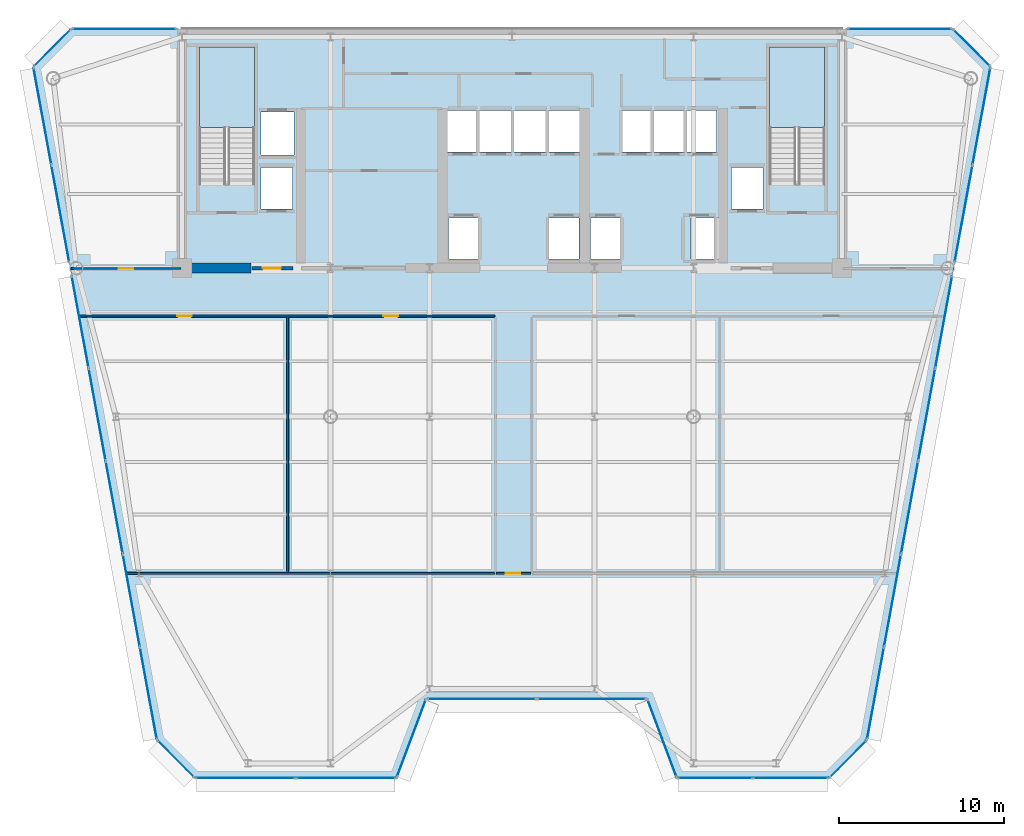
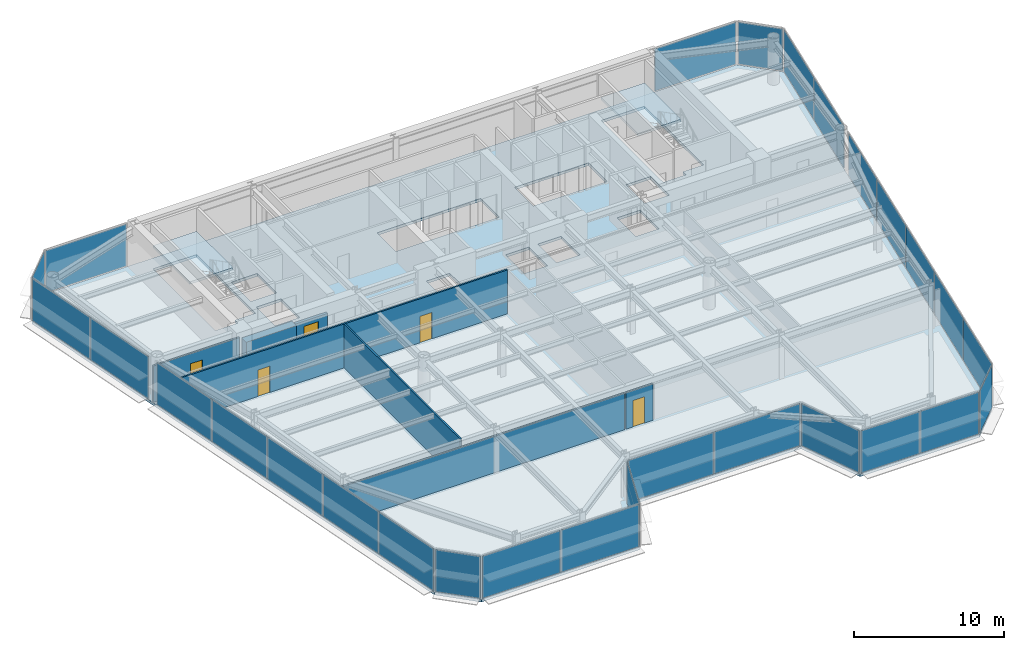
# One storey, part 8 of 15: 28 plates, 7 walls, 5 doors, 3 slabs, 5 openings, 17 elements without a shape of their own.
"""IFC4 building model written with IfcOpenShell, lengths in metres."""

from ifc_helpers import new_model, si_unit, direction, frame, frame_2d, origin, origin_2d, place, context, subcontext, project, spatial, polyline, rectangle, outline, extrude, source, transform, mapped, material, layer, layer_set, type_object, element, fill, aggregate, save


model = new_model("IFC4")

# Units and contexts
model_context = context("Model", 3, precision=1e-05, world=origin(), true_north=direction((0.0, 1.0)))
body_context = subcontext(model_context, "Body", "Model", "MODEL_VIEW")
ifc_project = project(units=[si_unit("LENGTHUNIT", "METRE"), si_unit("AREAUNIT", "SQUARE_METRE"), si_unit("VOLUMEUNIT", "CUBIC_METRE"), si_unit("PLANEANGLEUNIT", "RADIAN"), si_unit("MASSUNIT", "GRAM", prefix="KILO")], contexts=[model_context])

# Site, building, storey
site_placement = place(None, origin())
site = spatial("IfcSite", under=ifc_project, at=site_placement, CompositionType="ELEMENT")
building_placement = place(site_placement, origin())
building = spatial("IfcBuilding", under=site, at=building_placement, Name="Vaeldorn Concourse Tower", CompositionType="ELEMENT")
storey_placement = place(building_placement, frame((0.0, 0.0, 199.39990234375)))
storey = spatial("IfcBuildingStorey", under=building, at=storey_placement, Name="L51", CompositionType="ELEMENT", Elevation=199.39990234375)

# Stair, slab
ifc_material_1 = material(Name="Precast concrete C40/50", Category="concrete")
stair_type = type_object("IfcStairType", Name="STR-DOG-24x158", PredefinedType="HALF_TURN_STAIR", material=ifc_material_1)
stair_1_placement = place(storey_placement, origin())
stair_1 = element("IfcStair", 1, at=stair_1_placement, inside=storey, type_object=stair_type, Name="L51 West Core Exit Stair ST-1", PredefinedType="HALF_TURN_STAIR")
ifc_material_2 = material(Name="Concrete C40/50", Category="concrete")
ifc_layer_1 = layer(ifc_material_2, 0.199951171875)
ifc_layer_set_1 = layer_set([ifc_layer_1], Name="Concrete C40/50")
slab_type_1 = type_object("IfcSlabType", Name="SL-STAIR-LANDING", PredefinedType="LANDING", material=ifc_layer_set_1)
slab_1_placement = place(storey_placement, frame((0.0, 0.0, 1.7001953125)))
slab_1 = element("IfcSlab", 2, at=slab_1_placement, type_object=slab_type_1, Name="ST-1 landing 1", PredefinedType="LANDING", context=body_context, shape_type="SweptSolid", body=[
    extrude(outline(polyline([(18.39990234375, 45.010009765625), (18.39990234375, 49.89990234375), (15.050048828125, 49.89990234375), (15.050048828125, 45.010009765625), (18.39990234375, 45.010009765625)])), origin(), (0.0, 0.0, 1.0), 0.199951171875),
])
aggregate(stair_1, [slab_1])

stair_2_placement = place(storey_placement, origin())
stair_2 = element("IfcStair", 3, at=stair_2_placement, inside=storey, type_object=stair_type, Name="L51 East Core Exit Stair ST-2", PredefinedType="HALF_TURN_STAIR")
slab_2_placement = place(storey_placement, frame((0.0, 0.0, 1.7001953125)))
slab_2 = element("IfcSlab", 4, at=slab_2_placement, type_object=slab_type_1, Name="ST-2 landing 1", PredefinedType="LANDING", context=body_context, shape_type="SweptSolid", body=[
    extrude(outline(polyline([(52.949951171875, 45.010009765625), (52.949951171875, 49.89990234375), (49.60009765625, 49.89990234375), (49.60009765625, 45.010009765625), (52.949951171875, 45.010009765625)])), origin(), (0.0, 0.0, 1.0), 0.199951171875),
])
aggregate(stair_2, [slab_2])

# Slab
ifc_layer_2 = layer(ifc_material_2, 0.219970703125)
ifc_layer_set_2 = layer_set([ifc_layer_2], Name="Concrete C40/50")
slab_type_2 = type_object("IfcSlabType", Name="SL-TYP-220", PredefinedType="FLOOR", material=ifc_layer_set_2)
slab_3_placement = place(storey_placement, frame((0.0, 0.0, -0.219970703125)))
element("IfcSlab", 5, at=slab_3_placement, inside=storey, type_object=slab_type_2, Name="Structural Floor Slab L51", PredefinedType="FLOOR", context=body_context, shape_type="SweptSolid", body=[
    extrude(outline(polyline([(14.791015625, 5.60009765625), (27.0, 5.60009765625), (28.800048828125, 10.39990234375), (42.199951171875, 10.39990234375), (44.0, 5.60009765625), (53.208984375, 5.60009765625), (55.509033203125, 7.89990234375), (63.0, 48.699951171875), (60.699951171875, 51.0), (7.300048828125, 51.0), (5.0, 48.699951171875), (12.490966796875, 7.89990234375), (14.791015625, 5.60009765625)]), holes=[polyline([(18.39990234375, 42.0), (18.39990234375, 49.89990234375), (15.050048828125, 49.89990234375), (15.050048828125, 41.60009765625), (16.800048828125, 41.60009765625), (16.800048828125, 42.0), (18.39990234375, 42.0)]), polyline([(52.949951171875, 42.0), (52.949951171875, 49.89990234375), (49.60009765625, 49.89990234375), (49.60009765625, 41.60009765625), (51.35009765625, 41.60009765625), (51.35009765625, 42.0), (52.949951171875, 42.0)]), polyline([(30.14990234375, 37.050048828125), (31.949951171875, 37.050048828125), (31.949951171875, 39.550048828125), (30.14990234375, 39.550048828125), (30.14990234375, 37.050048828125)]), polyline([(36.25, 37.050048828125), (38.050048828125, 37.050048828125), (38.050048828125, 39.550048828125), (36.25, 39.550048828125), (36.25, 37.050048828125)]), polyline([(30.10009765625, 43.550048828125), (38.10009765625, 43.550048828125), (38.10009765625, 46.050048828125), (30.10009765625, 46.050048828125), (30.10009765625, 43.550048828125)]), polyline([(38.75, 37.050048828125), (40.550048828125, 37.050048828125), (40.550048828125, 39.550048828125), (38.75, 39.550048828125), (38.75, 37.050048828125)]), polyline([(44.85009765625, 37.050048828125), (46.64990234375, 37.050048828125), (46.64990234375, 39.550048828125), (44.85009765625, 39.550048828125), (44.85009765625, 37.050048828125)]), polyline([(40.699951171875, 43.550048828125), (46.39990234375, 43.550048828125), (46.39990234375, 46.050048828125), (40.699951171875, 46.050048828125), (40.699951171875, 43.550048828125)]), polyline([(18.800048828125, 43.35009765625), (20.800048828125, 43.35009765625), (20.800048828125, 45.949951171875), (18.800048828125, 45.949951171875), (18.800048828125, 43.35009765625)]), polyline([(18.800048828125, 40.10009765625), (20.699951171875, 40.10009765625), (20.699951171875, 42.60009765625), (18.800048828125, 42.60009765625), (18.800048828125, 40.10009765625)]), polyline([(47.300048828125, 40.10009765625), (49.199951171875, 40.10009765625), (49.199951171875, 42.60009765625), (47.300048828125, 42.60009765625), (47.300048828125, 40.10009765625)])]), origin(), (0.0, 0.0, 1.0), 0.219970703125),
])

# Curtain wall, plate
ifc_material_3 = material(Name="Anodised Bronze Aluminium", Category="aluminium")
ifc_layer_3 = layer(ifc_material_3, 0.2099609375)
ifc_layer_set_3 = layer_set([ifc_layer_3], Name="Anodised Bronze Aluminium")
curtain_wall_type = type_object("IfcCurtainWallType", Name="CW-SYS-06", PredefinedType="NOTDEFINED", material=ifc_layer_set_3)
curtain_wall_1_placement = place(storey_placement, origin())
curtain_wall_1 = element("IfcCurtainWall", 6, at=curtain_wall_1_placement, inside=storey, type_object=curtain_wall_type, Name="Unitised Curtain Wall CW-L51-E02-1", PredefinedType="NOTDEFINED")
ifc_material_4 = material(Name="Bronze Tinted Low-E Insulated Glass", Category="glass")
ifc_layer_4 = layer(ifc_material_4, 0.031982421875)
ifc_layer_set_4 = layer_set([ifc_layer_4], Name="Bronze Tinted Low-E Insulated Glass")
plate_type = type_object("IfcPlateType", Name="CWP-VISION-32", PredefinedType="CURTAIN_PANEL", material=ifc_layer_set_4)
shared_shape_1 = source(origin(), body_context, "Body", "SweptSolid", [
    extrude(rectangle(XDim=4.976318359375, YDim=0.031982421875, at=origin_2d()), origin(), (0.0, 0.0, 1.0), 3.429931640625),
])
plate_1_placement = place(storey_placement, frame((27.89990234375, 8.0, 0.0751953125), z_axis=(0.0, 0.0, 1.0), x_axis=(0.351123441595, 0.936329177566, 0.0)))
plate_1 = element("IfcPlate", 7, at=plate_1_placement, type_object=plate_type, Name="CW-06 panel 1.1", PredefinedType="CURTAIN_PANEL", context=body_context, shape_type="MappedRepresentation", body=[
    mapped(shared_shape_1, transform((0.0, 0.0, 0.0), scale=1.0)),
])
aggregate(curtain_wall_1, [plate_1])

curtain_wall_2_placement = place(storey_placement, origin())
curtain_wall_2 = element("IfcCurtainWall", 8, at=curtain_wall_2_placement, inside=storey, type_object=curtain_wall_type, Name="Unitised Curtain Wall CW-L51-E04-1", PredefinedType="NOTDEFINED")
plate_2_placement = place(storey_placement, frame((43.10009765625, 8.0, 0.0751953125), z_axis=(0.0, 0.0, 1.0), x_axis=(0.351123441595, -0.936329177566, 0.0)))
plate_2 = element("IfcPlate", 9, at=plate_2_placement, type_object=plate_type, Name="CW-06 panel 1.1", PredefinedType="CURTAIN_PANEL", context=body_context, shape_type="MappedRepresentation", body=[
    mapped(shared_shape_1, transform((0.0, 0.0, 0.0), scale=1.0)),
])
aggregate(curtain_wall_2, [plate_2])

# Curtain wall, plates
curtain_wall_3_placement = place(storey_placement, origin())
curtain_wall_3 = element("IfcCurtainWall", 10, at=curtain_wall_3_placement, inside=storey, type_object=curtain_wall_type, Name="Unitised Curtain Wall CW-L51-E03-1", PredefinedType="NOTDEFINED")
shared_shape_2 = source(origin(), body_context, "Body", "SweptSolid", [
    extrude(rectangle(XDim=6.58740234375, YDim=0.031982421875, at=origin_2d()), origin(), (0.0, 0.0, 1.0), 3.429931640625),
])
plate_3_placement = place(storey_placement, frame((32.168701171875, 10.39990234375, 0.0751953125), z_axis=(0.0, 0.0, 1.0), x_axis=(1.0, 0.0, 0.0)))
plate_3 = element("IfcPlate", 11, at=plate_3_placement, type_object=plate_type, Name="CW-06 panel 1.1", PredefinedType="CURTAIN_PANEL", context=body_context, shape_type="MappedRepresentation", body=[
    mapped(shared_shape_2, transform((0.0, 0.0, 0.0), scale=1.0)),
])
plate_4_placement = place(storey_placement, frame((38.831298828125, 10.39990234375, 0.0751953125), z_axis=(0.0, 0.0, 1.0), x_axis=(1.0, 0.0, 0.0)))
plate_4 = element("IfcPlate", 12, at=plate_4_placement, type_object=plate_type, Name="CW-06 panel 2.1", PredefinedType="CURTAIN_PANEL", context=body_context, shape_type="MappedRepresentation", body=[
    mapped(shared_shape_2, transform((0.0, 0.0, 0.0), scale=1.0)),
])
aggregate(curtain_wall_3, [plate_3, plate_4])

# Curtain wall, plate
curtain_wall_4_placement = place(storey_placement, origin())
curtain_wall_4 = element("IfcCurtainWall", 13, at=curtain_wall_4_placement, inside=storey, type_object=curtain_wall_type, Name="Unitised Curtain Wall CW-L51-E06-1", PredefinedType="NOTDEFINED")
shared_shape_3 = source(origin(), body_context, "Body", "SweptSolid", [
    extrude(rectangle(XDim=3.102783203125, YDim=0.031982421875, at=origin_2d()), origin(), (0.0, 0.0, 1.0), 3.429931640625),
])
plate_5_placement = place(storey_placement, frame((54.35888671875, 6.75, 0.0751953125), z_axis=(0.0, 0.0, 1.0), x_axis=(0.707106781187, 0.707106781187, 0.0)))
plate_5 = element("IfcPlate", 14, at=plate_5_placement, type_object=plate_type, Name="CW-06 panel 1.1", PredefinedType="CURTAIN_PANEL", context=body_context, shape_type="MappedRepresentation", body=[
    mapped(shared_shape_3, transform((0.0, 0.0, 0.0), scale=1.0)),
])
aggregate(curtain_wall_4, [plate_5])

curtain_wall_5_placement = place(storey_placement, origin())
curtain_wall_5 = element("IfcCurtainWall", 15, at=curtain_wall_5_placement, inside=storey, type_object=curtain_wall_type, Name="Unitised Curtain Wall CW-L51-E08-1", PredefinedType="NOTDEFINED")
plate_6_placement = place(storey_placement, frame((61.85009765625, 49.85009765625, 0.0751953125), z_axis=(0.0, 0.0, 1.0), x_axis=(-0.707106781187, 0.707106781187, 0.0)))
plate_6 = element("IfcPlate", 16, at=plate_6_placement, type_object=plate_type, Name="CW-06 panel 1.1", PredefinedType="CURTAIN_PANEL", context=body_context, shape_type="MappedRepresentation", body=[
    mapped(shared_shape_3, transform((0.0, 0.0, 0.0), scale=1.0)),
])
aggregate(curtain_wall_5, [plate_6])

curtain_wall_6_placement = place(storey_placement, origin())
curtain_wall_6 = element("IfcCurtainWall", 17, at=curtain_wall_6_placement, inside=storey, type_object=curtain_wall_type, Name="Unitised Curtain Wall CW-L51-E10-1", PredefinedType="NOTDEFINED")
plate_7_placement = place(storey_placement, frame((6.14990234375, 49.85009765625, 0.0751953125), z_axis=(0.0, 0.0, 1.0), x_axis=(-0.707106781187, -0.707106781187, 0.0)))
plate_7 = element("IfcPlate", 18, at=plate_7_placement, type_object=plate_type, Name="CW-06 panel 1.1", PredefinedType="CURTAIN_PANEL", context=body_context, shape_type="MappedRepresentation", body=[
    mapped(shared_shape_3, transform((0.0, 0.0, 0.0), scale=1.0)),
])
aggregate(curtain_wall_6, [plate_7])

curtain_wall_7_placement = place(storey_placement, origin())
curtain_wall_7 = element("IfcCurtainWall", 19, at=curtain_wall_7_placement, inside=storey, type_object=curtain_wall_type, Name="Unitised Curtain Wall CW-L51-E12-1", PredefinedType="NOTDEFINED")
plate_8_placement = place(storey_placement, frame((13.64111328125, 6.75, 0.0751953125), z_axis=(0.0, 0.0, 1.0), x_axis=(0.707106781187, -0.707106781187, 0.0)))
plate_8 = element("IfcPlate", 20, at=plate_8_placement, type_object=plate_type, Name="CW-06 panel 1.1", PredefinedType="CURTAIN_PANEL", context=body_context, shape_type="MappedRepresentation", body=[
    mapped(shared_shape_3, transform((0.0, 0.0, 0.0), scale=1.0)),
])
aggregate(curtain_wall_7, [plate_8])

# Curtain wall, plates
curtain_wall_8_placement = place(storey_placement, origin())
curtain_wall_8 = element("IfcCurtainWall", 21, at=curtain_wall_8_placement, inside=storey, type_object=curtain_wall_type, Name="Unitised Curtain Wall CW-L51-E01-1", PredefinedType="NOTDEFINED")
shared_shape_4 = source(origin(), body_context, "Body", "SweptSolid", [
    extrude(rectangle(XDim=5.991943359375, YDim=0.031982421875, at=origin_2d()), origin(), (0.0, 0.0, 1.0), 3.429931640625),
])
plate_9_placement = place(storey_placement, frame((17.862060546875, 5.60009765625, 0.0751953125), z_axis=(0.0, 0.0, 1.0), x_axis=(1.0, 0.0, 0.0)))
plate_9 = element("IfcPlate", 22, at=plate_9_placement, type_object=plate_type, Name="CW-06 panel 1.1", PredefinedType="CURTAIN_PANEL", context=body_context, shape_type="MappedRepresentation", body=[
    mapped(shared_shape_4, transform((0.0, 0.0, 0.0), scale=1.0)),
])
plate_10_placement = place(storey_placement, frame((23.928955078125, 5.60009765625, 0.0751953125), z_axis=(0.0, 0.0, 1.0), x_axis=(1.0, 0.0, 0.0)))
plate_10 = element("IfcPlate", 23, at=plate_10_placement, type_object=plate_type, Name="CW-06 panel 2.1", PredefinedType="CURTAIN_PANEL", context=body_context, shape_type="MappedRepresentation", body=[
    mapped(shared_shape_4, transform((0.0, 0.0, 0.0), scale=1.0)),
])
aggregate(curtain_wall_8, [plate_9, plate_10])

curtain_wall_9_placement = place(storey_placement, origin())
curtain_wall_9 = element("IfcCurtainWall", 24, at=curtain_wall_9_placement, inside=storey, type_object=curtain_wall_type, Name="Unitised Curtain Wall CW-L51-E05-1", PredefinedType="NOTDEFINED")
shared_shape_5 = source(origin(), body_context, "Body", "SweptSolid", [
    extrude(rectangle(XDim=4.491943359375, YDim=0.031982421875, at=origin_2d()), origin(), (0.0, 0.0, 1.0), 3.429931640625),
])
plate_11_placement = place(storey_placement, frame((46.321044921875, 5.60009765625, 0.0751953125), z_axis=(0.0, 0.0, 1.0), x_axis=(1.0, 0.0, 0.0)))
plate_11 = element("IfcPlate", 25, at=plate_11_placement, type_object=plate_type, Name="CW-06 panel 1.1", PredefinedType="CURTAIN_PANEL", context=body_context, shape_type="MappedRepresentation", body=[
    mapped(shared_shape_5, transform((0.0, 0.0, 0.0), scale=1.0)),
])
plate_12_placement = place(storey_placement, frame((50.887939453125, 5.60009765625, 0.0751953125), z_axis=(0.0, 0.0, 1.0), x_axis=(1.0, 0.0, 0.0)))
plate_12 = element("IfcPlate", 26, at=plate_12_placement, type_object=plate_type, Name="CW-06 panel 2.1", PredefinedType="CURTAIN_PANEL", context=body_context, shape_type="MappedRepresentation", body=[
    mapped(shared_shape_5, transform((0.0, 0.0, 0.0), scale=1.0)),
])
aggregate(curtain_wall_9, [plate_11, plate_12])

curtain_wall_10_placement = place(storey_placement, origin())
curtain_wall_10 = element("IfcCurtainWall", 27, at=curtain_wall_10_placement, inside=storey, type_object=curtain_wall_type, Name="Unitised Curtain Wall CW-L51-E07-1", PredefinedType="NOTDEFINED")
shared_shape_6 = source(origin(), body_context, "Body", "SweptSolid", [
    extrude(rectangle(XDim=5.618408203125, YDim=0.031982421875, at=origin_2d()), origin(), (0.0, 0.0, 1.0), 3.429931640625),
])
plate_13_placement = place(storey_placement, frame((56.02978515625, 10.73681640625, 0.0751953125), z_axis=(0.0, 0.0, 1.0), x_axis=(0.180585309951, 0.983559325018, 0.0)))
plate_13 = element("IfcPlate", 28, at=plate_13_placement, type_object=plate_type, Name="CW-06 panel 1.1", PredefinedType="CURTAIN_PANEL", context=body_context, shape_type="MappedRepresentation", body=[
    mapped(shared_shape_6, transform((0.0, 0.0, 0.0), scale=1.0)),
])
plate_14_placement = place(storey_placement, frame((60.162841796875, 33.246826171875, 0.0751953125), z_axis=(0.0, 0.0, 1.0), x_axis=(0.180585309951, 0.983559325018, 0.0)))
plate_14 = element("IfcPlate", 29, at=plate_14_placement, type_object=plate_type, Name="CW-06 panel 5.1", PredefinedType="CURTAIN_PANEL", context=body_context, shape_type="MappedRepresentation", body=[
    mapped(shared_shape_6, transform((0.0, 0.0, 0.0), scale=1.0)),
])

curtain_wall_11_placement = place(storey_placement, origin())
curtain_wall_11 = element("IfcCurtainWall", 30, at=curtain_wall_11_placement, inside=storey, type_object=curtain_wall_type, Name="Unitised Curtain Wall CW-L51-E11-2", PredefinedType="NOTDEFINED")
plate_15_placement = place(storey_placement, frame((7.837158203125, 33.246826171875, 0.0751953125), z_axis=(0.0, 0.0, 1.0), x_axis=(0.180585309951, -0.983559325018, 0.0)))
plate_15 = element("IfcPlate", 31, at=plate_15_placement, type_object=plate_type, Name="CW-06 panel 1.1", PredefinedType="CURTAIN_PANEL", context=body_context, shape_type="MappedRepresentation", body=[
    mapped(shared_shape_6, transform((0.0, 0.0, 0.0), scale=1.0)),
])
plate_16_placement = place(storey_placement, frame((11.97021484375, 10.73681640625, 0.0751953125), z_axis=(0.0, 0.0, 1.0), x_axis=(0.180585309951, -0.983559325018, 0.0)))
plate_16 = element("IfcPlate", 32, at=plate_16_placement, type_object=plate_type, Name="CW-06 panel 5.1", PredefinedType="CURTAIN_PANEL", context=body_context, shape_type="MappedRepresentation", body=[
    mapped(shared_shape_6, transform((0.0, 0.0, 0.0), scale=1.0)),
])

# Plate
shared_shape_7 = source(origin(), body_context, "Body", "SweptSolid", [
    extrude(rectangle(XDim=5.656005859375, YDim=0.031982421875, at=origin_2d()), origin(), (0.0, 0.0, 1.0), 3.429931640625),
])
plate_17_placement = place(storey_placement, frame((57.061279296875, 16.35498046875, 0.0751953125), z_axis=(0.0, 0.0, 1.0), x_axis=(0.180585309951, 0.983559325018, 0.0)))
plate_17 = element("IfcPlate", 33, at=plate_17_placement, type_object=plate_type, Name="CW-06 panel 2.1", PredefinedType="CURTAIN_PANEL", context=body_context, shape_type="MappedRepresentation", body=[
    mapped(shared_shape_7, transform((0.0, 0.0, 0.0), scale=1.0)),
])

plate_18_placement = place(storey_placement, frame((58.09619140625, 21.99169921875, 0.0751953125), z_axis=(0.0, 0.0, 1.0), x_axis=(0.180585309951, 0.983559325018, 0.0)))
plate_18 = element("IfcPlate", 34, at=plate_18_placement, type_object=plate_type, Name="CW-06 panel 3.1", PredefinedType="CURTAIN_PANEL", context=body_context, shape_type="MappedRepresentation", body=[
    mapped(shared_shape_7, transform((0.0, 0.0, 0.0), scale=1.0)),
])

plate_19_placement = place(storey_placement, frame((59.131103515625, 27.62841796875, 0.0751953125), z_axis=(0.0, 0.0, 1.0), x_axis=(0.180585309951, 0.983559325018, 0.0)))
plate_19 = element("IfcPlate", 35, at=plate_19_placement, type_object=plate_type, Name="CW-06 panel 4.1", PredefinedType="CURTAIN_PANEL", context=body_context, shape_type="MappedRepresentation", body=[
    mapped(shared_shape_7, transform((0.0, 0.0, 0.0), scale=1.0)),
])

aggregate(curtain_wall_10, [plate_13, plate_17, plate_18, plate_19, plate_14])

plate_20_placement = place(storey_placement, frame((8.868896484375, 27.62841796875, 0.0751953125), z_axis=(0.0, 0.0, 1.0), x_axis=(0.180585309951, -0.983559325018, 0.0)))
plate_20 = element("IfcPlate", 36, at=plate_20_placement, type_object=plate_type, Name="CW-06 panel 2.1", PredefinedType="CURTAIN_PANEL", context=body_context, shape_type="MappedRepresentation", body=[
    mapped(shared_shape_7, transform((0.0, 0.0, 0.0), scale=1.0)),
])

plate_21_placement = place(storey_placement, frame((9.90380859375, 21.99169921875, 0.0751953125), z_axis=(0.0, 0.0, 1.0), x_axis=(0.180585309951, -0.983559325018, 0.0)))
plate_21 = element("IfcPlate", 37, at=plate_21_placement, type_object=plate_type, Name="CW-06 panel 3.1", PredefinedType="CURTAIN_PANEL", context=body_context, shape_type="MappedRepresentation", body=[
    mapped(shared_shape_7, transform((0.0, 0.0, 0.0), scale=1.0)),
])

plate_22_placement = place(storey_placement, frame((10.938720703125, 16.35498046875, 0.0751953125), z_axis=(0.0, 0.0, 1.0), x_axis=(0.180585309951, -0.983559325018, 0.0)))
plate_22 = element("IfcPlate", 38, at=plate_22_placement, type_object=plate_type, Name="CW-06 panel 4.1", PredefinedType="CURTAIN_PANEL", context=body_context, shape_type="MappedRepresentation", body=[
    mapped(shared_shape_7, transform((0.0, 0.0, 0.0), scale=1.0)),
])

aggregate(curtain_wall_11, [plate_15, plate_20, plate_21, plate_22, plate_16])

# Curtain wall, plates
curtain_wall_12_placement = place(storey_placement, origin())
curtain_wall_12 = element("IfcCurtainWall", 39, at=curtain_wall_12_placement, inside=storey, type_object=curtain_wall_type, Name="Unitised Curtain Wall CW-L51-E07-2", PredefinedType="NOTDEFINED")
shared_shape_8 = source(origin(), body_context, "Body", "SweptSolid", [
    extrude(rectangle(XDim=5.93310546875, YDim=0.031982421875, at=origin_2d()), origin(), (0.0, 0.0, 1.0), 3.429931640625),
])
plate_23_placement = place(storey_placement, frame((61.36572265625, 39.799072265625, 0.0751953125), z_axis=(0.0, 0.0, 1.0), x_axis=(0.180584576845, 0.983559459619, 0.0)))
plate_23 = element("IfcPlate", 40, at=plate_23_placement, type_object=plate_type, Name="CW-06 panel 1.1", PredefinedType="CURTAIN_PANEL", context=body_context, shape_type="MappedRepresentation", body=[
    mapped(shared_shape_8, transform((0.0, 0.0, 0.0), scale=1.0)),
])
plate_24_placement = place(storey_placement, frame((62.45068359375, 45.70849609375, 0.0751953125), z_axis=(0.0, 0.0, 1.0), x_axis=(0.180584576845, 0.983559459619, 0.0)))
plate_24 = element("IfcPlate", 41, at=plate_24_placement, type_object=plate_type, Name="CW-06 panel 2.1", PredefinedType="CURTAIN_PANEL", context=body_context, shape_type="MappedRepresentation", body=[
    mapped(shared_shape_8, transform((0.0, 0.0, 0.0), scale=1.0)),
])
aggregate(curtain_wall_12, [plate_23, plate_24])

curtain_wall_13_placement = place(storey_placement, origin())
curtain_wall_13 = element("IfcCurtainWall", 42, at=curtain_wall_13_placement, inside=storey, type_object=curtain_wall_type, Name="Unitised Curtain Wall CW-L51-E11-1", PredefinedType="NOTDEFINED")
plate_25_placement = place(storey_placement, frame((5.54931640625, 45.70849609375, 0.0751953125), z_axis=(0.0, 0.0, 1.0), x_axis=(0.180584576845, -0.983559459619, 0.0)))
plate_25 = element("IfcPlate", 43, at=plate_25_placement, type_object=plate_type, Name="CW-06 panel 1.1", PredefinedType="CURTAIN_PANEL", context=body_context, shape_type="MappedRepresentation", body=[
    mapped(shared_shape_8, transform((0.0, 0.0, 0.0), scale=1.0)),
])
plate_26_placement = place(storey_placement, frame((6.63427734375, 39.799072265625, 0.0751953125), z_axis=(0.0, 0.0, 1.0), x_axis=(0.180584576845, -0.983559459619, 0.0)))
plate_26 = element("IfcPlate", 44, at=plate_26_placement, type_object=plate_type, Name="CW-06 panel 2.1", PredefinedType="CURTAIN_PANEL", context=body_context, shape_type="MappedRepresentation", body=[
    mapped(shared_shape_8, transform((0.0, 0.0, 0.0), scale=1.0)),
])
aggregate(curtain_wall_13, [plate_25, plate_26])

# Curtain wall, plate
curtain_wall_14_placement = place(storey_placement, origin())
curtain_wall_14 = element("IfcCurtainWall", 45, at=curtain_wall_14_placement, inside=storey, type_object=curtain_wall_type, Name="Unitised Curtain Wall CW-L51-E09-1", PredefinedType="NOTDEFINED")
shared_shape_9 = source(origin(), body_context, "Body", "SweptSolid", [
    extrude(rectangle(XDim=6.2548828125, YDim=0.031982421875, at=origin_2d()), origin(), (0.0, 0.0, 1.0), 3.429931640625),
])
plate_27_placement = place(storey_placement, frame((57.49755859375, 51.0, 0.0751953125), z_axis=(0.0, 0.0, 1.0), x_axis=(-1.0, 0.0, 0.0)))
plate_27 = element("IfcPlate", 46, at=plate_27_placement, type_object=plate_type, Name="CW-06 panel 1.1", PredefinedType="CURTAIN_PANEL", context=body_context, shape_type="MappedRepresentation", body=[
    mapped(shared_shape_9, transform((0.0, 0.0, 0.0), scale=1.0)),
])
aggregate(curtain_wall_14, [plate_27])

curtain_wall_15_placement = place(storey_placement, origin())
curtain_wall_15 = element("IfcCurtainWall", 47, at=curtain_wall_15_placement, inside=storey, type_object=curtain_wall_type, Name="Unitised Curtain Wall CW-L51-E09-2", PredefinedType="NOTDEFINED")
plate_28_placement = place(storey_placement, frame((10.50244140625, 51.0, 0.0751953125), z_axis=(0.0, 0.0, 1.0), x_axis=(-1.0, 0.0, 0.0)))
plate_28 = element("IfcPlate", 48, at=plate_28_placement, type_object=plate_type, Name="CW-06 panel 1.1", PredefinedType="CURTAIN_PANEL", context=body_context, shape_type="MappedRepresentation", body=[
    mapped(shared_shape_9, transform((0.0, 0.0, 0.0), scale=1.0)),
])
aggregate(curtain_wall_15, [plate_28])

# Wall
ifc_material_5 = material(Name="Concrete C50/60", Category="concrete")
ifc_layer_5 = layer(ifc_material_5, 0.60009765625)
ifc_layer_set_5 = layer_set([ifc_layer_5], Name="Concrete C50/60")
wall_type_1 = type_object("IfcWallType", Name="WL-CORE-600", PredefinedType="SHEAR", material=ifc_layer_set_5)
wall_1_placement = place(storey_placement, frame((14.320068359375, 36.5, 0.0), z_axis=(0.0, 0.0, 1.0), x_axis=(1.0, 0.0, 0.0)))
element("IfcWall", 49, at=wall_1_placement, inside=storey, type_object=wall_type_1, Name="Rear Core Shear Wall L51 S1", PredefinedType="SHEAR", context=body_context, shape_type="SweptSolid", body=[
    extrude(rectangle(XDim=3.8798828125, YDim=0.60009765625, at=frame_2d((1.93994140625, 0.0))), origin(), (0.0, 0.0, 1.0), 2.580078125),
])

# Wall, openings, doors
ifc_material_6 = material(Name="Gypsum Board Partition", Category="gypsum")
ifc_layer_6 = layer(ifc_material_6, 0.1201171875)
ifc_layer_set_6 = layer_set([ifc_layer_6], Name="Gypsum Board Partition")
wall_type_2 = type_object("IfcWallType", Name="WL-PART-120", PredefinedType="PARTITIONING", material=ifc_layer_set_6)
wall_2_placement = place(storey_placement, frame((7.8125, 33.60009765625, 0.0), z_axis=(0.0, 0.0, 1.0), x_axis=(1.0, 0.0, 0.0)))
wall_2 = element("IfcWall", 50, at=wall_2_placement, inside=storey, type_object=wall_type_2, Name="Interior Wall PW-L51-C2SW", PredefinedType="PARTITIONING", context=body_context, shape_type="SweptSolid", body=[
    extrude(rectangle(XDim=25.12744140625, YDim=0.1201171875, at=frame_2d((12.563720703125, 0.0))), origin(), (0.0, 0.0, 1.0), 3.580078125),
])
opening_1_placement = place(wall_2_placement, frame((5.89404296875, 0.0, 0.0)))
opening_1 = element("IfcOpeningElement", 51, at=opening_1_placement, cuts=wall_2, Name="Opening D-03", PredefinedType="OPENING", context=body_context, shape_type="SweptSolid", body=[
    extrude(rectangle(XDim=0.89990234375, YDim=2.14990234375, at=frame_2d((0.449951171875, 1.074951171875))), frame((0.0, 0.070068359375, 0.0), z_axis=(0.0, -1.0, 0.0), x_axis=(1.0, 0.0, 0.0)), (0.0, 0.0, 1.0), 0.14013671875),
])
opening_2_placement = place(wall_2_placement, frame((18.387939453125, 0.0, 0.0)))
opening_2 = element("IfcOpeningElement", 52, at=opening_2_placement, cuts=wall_2, Name="Opening D-03", PredefinedType="OPENING", context=body_context, shape_type="SweptSolid", body=[
    extrude(rectangle(XDim=0.89990234375, YDim=2.14990234375, at=frame_2d((0.449951171875, 1.074951171875))), frame((0.0, 0.070068359375, 0.0), z_axis=(0.0, -1.0, 0.0), x_axis=(1.0, 0.0, 0.0)), (0.0, 0.0, 1.0), 0.14013671875),
])
ifc_material_7 = material(Name="Acoustic Bronze-Framed Glass Door", Category="glass")
door_type_1 = type_object("IfcDoorType", Name="DR-INT-900", OperationType="NOTDEFINED", PredefinedType="DOOR", material=ifc_material_7)
shared_shape_10 = source(origin(), body_context, "Body", "SweptSolid", [
    extrude(rectangle(XDim=0.89990234375, YDim=2.14990234375, at=frame_2d((0.449951171875, 1.074951171875))), frame((0.0, 0.02490234375, 0.0), z_axis=(0.0, -1.0, 0.0), x_axis=(1.0, 0.0, 0.0)), (0.0, 0.0, 1.0), 0.050048828125),
])
door_1_placement = place(opening_1_placement, origin())
door_1 = element("IfcDoor", 53, at=door_1_placement, inside=storey, type_object=door_type_1, Name="Interior Door DR-L51-Z2W1", OperationType="SINGLE_SWING_LEFT", OverallHeight=2.14990234375, OverallWidth=0.89990234375, PredefinedType="DOOR", context=body_context, shape_type="MappedRepresentation", body=[
    mapped(shared_shape_10, transform((0.0, 0.0, 0.0), scale=1.0)),
])
fill(opening_1, door_1)
door_2_placement = place(opening_2_placement, origin())
door_2 = element("IfcDoor", 54, at=door_2_placement, inside=storey, type_object=door_type_1, Name="Interior Door DR-L51-Z2W2", OperationType="SINGLE_SWING_RIGHT", OverallHeight=2.14990234375, OverallWidth=0.89990234375, PredefinedType="DOOR", context=body_context, shape_type="MappedRepresentation", body=[
    mapped(shared_shape_10, transform((0.0, 0.0, 0.0), scale=1.0)),
])
fill(opening_2, door_2)

# Wall, opening, door
wall_3_placement = place(storey_placement, frame((33.06005859375, 18.0, 0.0), z_axis=(0.0, 0.0, 1.0), x_axis=(1.0, 0.0, 0.0)))
wall_3 = element("IfcWall", 55, at=wall_3_placement, inside=storey, type_object=wall_type_2, Name="Interior Wall PW-L51-SP2S", PredefinedType="PARTITIONING", context=body_context, shape_type="SweptSolid", body=[
    extrude(rectangle(XDim=2.079833984375, YDim=0.1201171875, at=frame_2d((1.0400390625, 0.0))), origin(), (0.0, 0.0, 1.0), 2.97021484375),
])
opening_3_placement = place(wall_3_placement, frame((0.550048828125, 0.0, 0.0)))
opening_3 = element("IfcOpeningElement", 56, at=opening_3_placement, cuts=wall_3, Name="Opening D-03", PredefinedType="OPENING", context=body_context, shape_type="SweptSolid", body=[
    extrude(rectangle(XDim=0.89990234375, YDim=2.14990234375, at=frame_2d((0.449951171875, 1.074951171875))), frame((0.0, 0.070068359375, 0.0), z_axis=(0.0, -1.0, 0.0), x_axis=(1.0, 0.0, 0.0)), (0.0, 0.0, 1.0), 0.14013671875),
])
door_3_placement = place(opening_3_placement, origin())
door_3 = element("IfcDoor", 57, at=door_3_placement, inside=storey, type_object=door_type_1, Name="Interior Door DR-L51-Z2SFM", OperationType="SINGLE_SWING_LEFT", OverallHeight=2.14990234375, OverallWidth=0.89990234375, PredefinedType="DOOR", context=body_context, shape_type="MappedRepresentation", body=[
    mapped(shared_shape_10, transform((0.0, 0.0, 0.0), scale=1.0)),
])
fill(opening_3, door_3)

wall_4_placement = place(storey_placement, frame((7.2890625, 36.47998046875, 0.0), z_axis=(0.0, 0.0, 1.0), x_axis=(1.0, 0.0, 0.0)))
wall_4 = element("IfcWall", 58, at=wall_4_placement, inside=storey, type_object=wall_type_2, Name="Interior Wall PW-L51-NWS", PredefinedType="PARTITIONING", context=body_context, shape_type="SweptSolid", body=[
    extrude(rectangle(XDim=6.65087890625, YDim=0.1201171875, at=frame_2d((3.325439453125, 0.0))), origin(), (0.0, 0.0, 1.0), 2.97021484375),
])
opening_4_placement = place(wall_4_placement, frame((2.875, 0.0, 0.0)))
opening_4 = element("IfcOpeningElement", 59, at=opening_4_placement, cuts=wall_4, Name="Opening D-03", PredefinedType="OPENING", context=body_context, shape_type="SweptSolid", body=[
    extrude(rectangle(XDim=0.89990234375, YDim=2.14990234375, at=frame_2d((0.449951171875, 1.074951171875))), frame((0.0, 0.070068359375, 0.0), z_axis=(0.0, -1.0, 0.0), x_axis=(1.0, 0.0, 0.0)), (0.0, 0.0, 1.0), 0.14013671875),
])
door_4_placement = place(opening_4_placement, origin())
door_4 = element("IfcDoor", 60, at=door_4_placement, inside=storey, type_object=door_type_1, Name="Interior Door DR-L51-NWC", OperationType="SINGLE_SWING_LEFT", OverallHeight=2.14990234375, OverallWidth=0.89990234375, PredefinedType="DOOR", context=body_context, shape_type="MappedRepresentation", body=[
    mapped(shared_shape_10, transform((0.0, 0.0, 0.0), scale=1.0)),
])
fill(opening_4, door_4)

# Walls
wall_5_placement = place(storey_placement, frame((10.676513671875, 18.0, 0.0), z_axis=(0.0, 0.0, 1.0), x_axis=(1.0, 0.0, 0.0)))
element("IfcWall", 61, at=wall_5_placement, inside=storey, type_object=wall_type_2, Name="Interior Wall PW-L51-S2WL", PredefinedType="PARTITIONING", context=body_context, shape_type="SweptSolid", body=[
    extrude(rectangle(XDim=22.263427734375, YDim=0.1201171875, at=frame_2d((11.1318359375, 0.0))), origin(), (0.0, 0.0, 1.0), 2.97021484375),
])
wall_6_placement = place(storey_placement, frame((20.39990234375, 18.06005859375, 0.0), z_axis=(0.0, 0.0, 1.0), x_axis=(0.0, 1.0, 0.0)))
element("IfcWall", 62, at=wall_6_placement, inside=storey, type_object=wall_type_2, Name="Interior Wall PW-L51-Z2WX1", PredefinedType="PARTITIONING", context=body_context, shape_type="SweptSolid", body=[
    extrude(rectangle(XDim=15.47998046875, YDim=0.1201171875, at=frame_2d((7.739990234375, 0.0))), origin(), (0.0, 0.0, 1.0), 3.580078125),
])

# Wall, opening, door
ifc_layer_7 = layer(ifc_material_5, 0.199951171875)
ifc_layer_set_7 = layer_set([ifc_layer_7], Name="Concrete C50/60")
wall_type_3 = type_object("IfcWallType", Name="WL-SHAFT-200", PredefinedType="SOLIDWALL", material=ifc_layer_set_7)
wall_7_placement = place(storey_placement, frame((18.25, 36.5, 0.0), z_axis=(0.0, 0.0, 1.0), x_axis=(1.0, 0.0, 0.0)))
wall_7 = element("IfcWall", 63, at=wall_7_placement, inside=storey, type_object=wall_type_3, Name="Interior Wall CW-L51-FF1S", PredefinedType="SOLIDWALL", context=body_context, shape_type="SweptSolid", body=[
    extrude(rectangle(XDim=2.469970703125, YDim=0.199951171875, at=frame_2d((1.23486328125, 0.0))), origin(), (0.0, 0.0, 1.0), 2.570068359375),
])
opening_5_placement = place(wall_7_placement, frame((0.64990234375, 0.0, 0.0)))
opening_5 = element("IfcOpeningElement", 64, at=opening_5_placement, cuts=wall_7, Name="Opening D-01", PredefinedType="OPENING", context=body_context, shape_type="SweptSolid", body=[
    extrude(rectangle(XDim=1.10009765625, YDim=2.14990234375, at=frame_2d((0.550048828125, 1.074951171875))), frame((0.0, 0.10986328125, 0.0), z_axis=(0.0, -1.0, 0.0), x_axis=(1.0, 0.0, 0.0)), (0.0, 0.0, 1.0), 0.219970703125),
])
ifc_material_8 = material(Name="Fire-Rated Timber and Steel Leaf", Category="steel")
door_type_2 = type_object("IfcDoorType", Name="DR-FD60-1100", OperationType="NOTDEFINED", PredefinedType="DOOR", material=ifc_material_8)
shared_shape_11 = source(origin(), body_context, "Body", "SweptSolid", [
    extrude(rectangle(XDim=1.10009765625, YDim=2.14990234375, at=frame_2d((0.550048828125, 1.074951171875))), frame((0.0, 0.02490234375, 0.0), z_axis=(0.0, -1.0, 0.0), x_axis=(1.0, 0.0, 0.0)), (0.0, 0.0, 1.0), 0.050048828125),
])
door_5_placement = place(opening_5_placement, origin())
door_5 = element("IfcDoor", 65, at=door_5_placement, inside=storey, type_object=door_type_2, Name="Interior Door DR-L51-FF1E", OperationType="SINGLE_SWING_RIGHT", OverallHeight=2.14990234375, OverallWidth=1.10009765625, PredefinedType="DOOR", context=body_context, shape_type="MappedRepresentation", body=[
    mapped(shared_shape_11, transform((0.0, 0.0, 0.0), scale=1.0)),
])
fill(opening_5, door_5)

save(model, "model.ifc")
